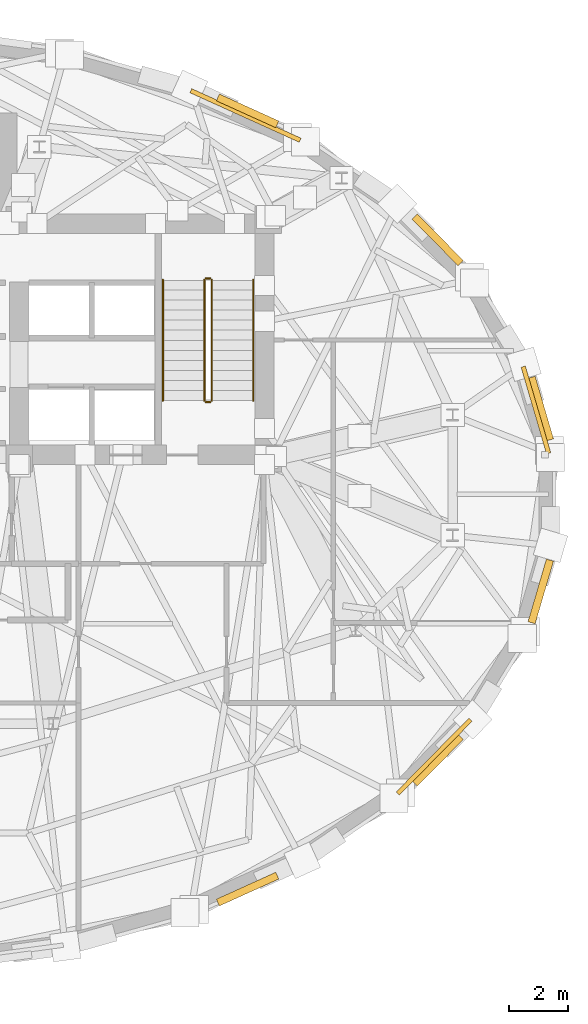
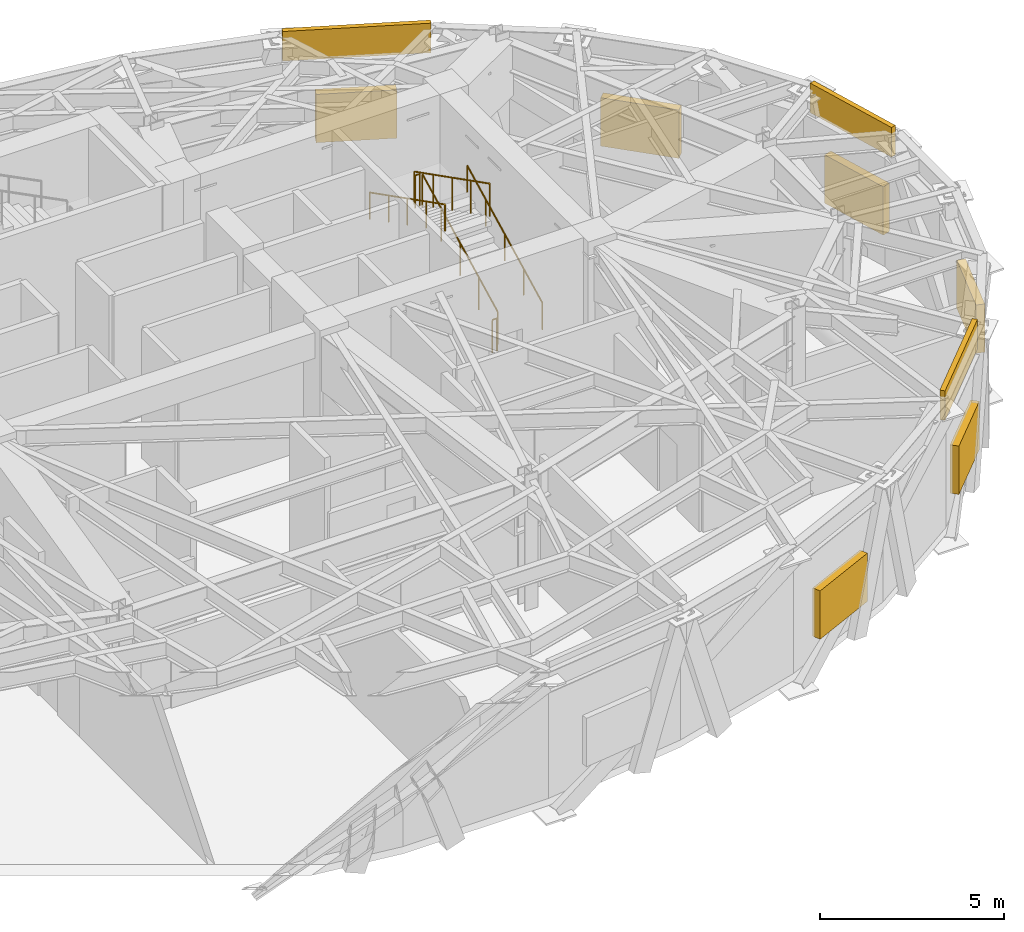
# One storey, part 12 of 12: 6 railings, 6 shading devices, 3 coverings.
"""IFC4 building model written with IfcOpenShell, lengths in metres."""

import ifcopenshell
import ifcopenshell.guid

model = None  # the IFC model being written
_history = None  # IfcOwnerHistory: only IFC2X3 demands one
_inside = {}  # id of a spatial element -> (the spatial element, [elements in it])
_under = {}  # id of a project, library or spatial element -> (it, [spatial elements below it])
_declared = {}  # id of a project -> (the project, [libraries it declares])
_typed = {}  # id of a type object -> (the type object, [elements of that type])
_made_of = {}  # id of a material, layer set ... -> (it, [elements and type objects made of it])


def new_model(schema):
    """Start an empty IFC model of exactly this schema.

    Asked for "IFC4X3", IfcOpenShell would pick the latest addendum, in which some entities
    have other attributes; the version numbers below select the first issue.
    IFC2X3 requires an IfcOwnerHistory on every rooted entity: one is made here for all.
    """
    global model, _history
    if schema == "IFC4X3":
        model = ifcopenshell.file(schema_version=(4, 3, 0, 0))
    else:
        model = ifcopenshell.file(schema=schema)
    _inside.clear()
    _under.clear()
    _declared.clear()
    _typed.clear()
    _made_of.clear()
    _history = None
    if model.schema == "IFC2X3":
        org = make("IfcOrganization", Name="unknown")
        user = make(
            "IfcPersonAndOrganization",
            ThePerson=make("IfcPerson", FamilyName="unknown"),
            TheOrganization=org,
        )
        app = make(
            "IfcApplication",
            ApplicationDeveloper=org,
            Version="unknown",
            ApplicationFullName="unknown",
            ApplicationIdentifier="unknown",
        )
        _history = make(
            "IfcOwnerHistory",
            OwningUser=user,
            OwningApplication=app,
            ChangeAction="ADDED",
            CreationDate=0,
        )
    return model


def make(cls, **values):
    """One entity of the class cls with the attributes given. An attribute that is None is left unset."""
    return model.create_entity(
        cls, **{name: value for name, value in values.items() if value is not None}
    )


def rooted(cls, **values):
    """An entity with a GlobalId (a new one), such as an element, a storey or a relation."""
    return make(cls, GlobalId=ifcopenshell.guid.new(), OwnerHistory=_history, **values)


def si_unit(unit_type, name, prefix=None):
    """IfcSIUnit, for example si_unit("LENGTHUNIT", "METRE", prefix="MILLI")."""
    return make("IfcSIUnit", UnitType=unit_type, Prefix=prefix, Name=name)


def assignment(units):
    """IfcUnitAssignment: the units of a project."""
    return None if units is None else make("IfcUnitAssignment", Units=units)


def point(xyz):
    """IfcCartesianPoint."""
    return None if xyz is None else make("IfcCartesianPoint", Coordinates=xyz)


def direction(xyz):
    """IfcDirection."""
    return None if xyz is None else make("IfcDirection", DirectionRatios=xyz)


def frame(location, z_axis=None, x_axis=None):
    """IfcAxis2Placement3D, a coordinate frame: its origin and axes. An axis left out is left unset."""
    return make(
        "IfcAxis2Placement3D",
        Location=point(location),
        Axis=direction(z_axis),
        RefDirection=direction(x_axis),
    )


def frame_2d(location, x_axis=None):
    """IfcAxis2Placement2D, a coordinate frame in the plane: its origin and x axis."""
    return make(
        "IfcAxis2Placement2D", Location=point(location), RefDirection=direction(x_axis)
    )


def origin():
    """The frame at (0, 0, 0) with its axes left unset."""
    return frame((0.0, 0.0, 0.0))


def origin_2d():
    """The frame at (0, 0) in the plane with its x axis left unset."""
    return frame_2d((0.0, 0.0))


def place(relative_to, where):
    """IfcLocalPlacement: puts the frame where relative to a parent placement (None: the world)."""
    return make(
        "IfcLocalPlacement", PlacementRelTo=relative_to, RelativePlacement=where
    )


def context(
    kind, dimensions, precision=None, world=None, true_north=None, identifier=None
):
    """IfcGeometricRepresentationContext, for example the 3D "Model" context."""
    return make(
        "IfcGeometricRepresentationContext",
        ContextIdentifier=identifier,
        ContextType=kind,
        CoordinateSpaceDimension=dimensions,
        Precision=precision,
        WorldCoordinateSystem=world,
        TrueNorth=true_north,
    )


def subcontext(parent, identifier, kind, view, scale=None):
    """IfcGeometricRepresentationSubContext, for example "Body" below "Model"."""
    return make(
        "IfcGeometricRepresentationSubContext",
        ContextIdentifier=identifier,
        ContextType=kind,
        ParentContext=parent,
        TargetScale=scale,
        TargetView=view,
    )


def project(units=None, contexts=None):
    """IfcProject with its units and contexts."""
    return rooted(
        "IfcProject",
        Name="project",
        RepresentationContexts=contexts,
        UnitsInContext=assignment(units),
    )


def spatial(cls, under=None, at=None, **own):
    """A site, building, storey or space (cls), placed at a placement, below another one or the project."""
    s = rooted(cls, ObjectPlacement=at, **own)
    if under is not None:
        _under.setdefault(under.id(), (under, []))[1].append(s)
    return s


def profile(cls, at=None, kind="AREA", **sizes):
    """A parametric profile (cls). Its sizes go by their IFC names, for example OverallWidth=200.0."""
    return make(cls, ProfileType=kind, Position=at, **sizes)


def rectangle(**sizes):
    """IfcRectangleProfileDef."""
    return profile("IfcRectangleProfileDef", **sizes)


def circle(**sizes):
    """IfcCircleProfileDef."""
    return profile("IfcCircleProfileDef", **sizes)


def extrude(swept, where, along, depth):
    """IfcExtrudedAreaSolid: the profile swept, set in the frame where, extruded along a direction by depth."""
    return make(
        "IfcExtrudedAreaSolid",
        SweptArea=swept,
        Position=where,
        ExtrudedDirection=direction(along),
        Depth=depth,
    )


def shape(context_of_items, identifier, shape_type, items):
    """IfcShapeRepresentation: the items that make up one representation, for example the "Body"."""
    return make(
        "IfcShapeRepresentation",
        ContextOfItems=context_of_items,
        RepresentationIdentifier=identifier,
        RepresentationType=shape_type,
        Items=items,
    )


def material(Name=None, Category=None):
    """IfcMaterial."""
    return make("IfcMaterial", Name=Name, Category=Category)


def layer(
    of_material, thickness, ventilated=None, Name=None, Category=None, Priority=None
):
    """IfcMaterialLayer: one layer of a wall or slab, of a material (None: an air gap)."""
    return make(
        "IfcMaterialLayer",
        Material=of_material,
        LayerThickness=thickness,
        IsVentilated=ventilated,
        Name=Name,
        Category=Category,
        Priority=Priority,
    )


def layer_set(layers, Name=None):
    """IfcMaterialLayerSet."""
    return make("IfcMaterialLayerSet", MaterialLayers=layers, LayerSetName=Name)


def made_of(thing, what):
    """Note that an element or type object is made of a material, layer set ...; save() writes the relation."""
    if what is not None:
        _made_of.setdefault(what.id(), (what, []))[1].append(thing)
    return thing


def type_object(cls, material=None, **own):
    """A type object (cls), such as IfcWallType, which elements share."""
    return made_of(rooted(cls, **own), material)


def element(
    cls,
    number,
    at=None,
    inside=None,
    cuts=None,
    type_object=None,
    material=None,
    context=None,
    identifier="Body",
    shape_type=None,
    held_by="IfcProductDefinitionShape",
    body=None,
    shapes=None,
    **own,
):
    """One element of the class cls, such as IfcWall. Its Tag is "e" and its number.

    at: its placement. inside: the storey or other place that contains it. cuts: it is an
    opening in that element (IfcRelVoidsElement). A single representation is given by context,
    identifier, shape_type and body (its items); several are given by shapes. held_by: the class
    of the entity that holds the representations. save() writes the other relations.
    """
    e = rooted(cls, Tag="e%d" % number, ObjectPlacement=at, **own)
    if body is not None:
        shapes = [shape(context, identifier, shape_type, body)]
    if shapes is not None:
        e.Representation = make(held_by, Representations=shapes)
    if inside is not None:
        _inside.setdefault(inside.id(), (inside, []))[1].append(e)
    if cuts is not None:
        rooted(
            "IfcRelVoidsElement", RelatingBuildingElement=cuts, RelatedOpeningElement=e
        )
    if type_object is not None:
        _typed.setdefault(type_object.id(), (type_object, []))[1].append(e)
    return made_of(e, material)


def aggregate(whole, parts):
    """IfcRelAggregates: a whole, such as a stair, and the parts it consists of."""
    return rooted("IfcRelAggregates", RelatingObject=whole, RelatedObjects=parts)


def save(model, path):
    """Write the relations noted so far, then the file.

    IfcRelAggregates (storeys below a building ...), IfcRelContainedInSpatialStructure (elements
    in a storey), IfcRelDefinesByType, IfcRelAssociatesMaterial and IfcRelDeclares: one each for
    every whole, place, type object, material and project.
    """
    for whole, parts in _under.values():
        aggregate(whole, parts)
    for where, things in _inside.values():
        rooted(
            "IfcRelContainedInSpatialStructure",
            RelatedElements=things,
            RelatingStructure=where,
        )
    for kind, things in _typed.values():
        rooted("IfcRelDefinesByType", RelatedObjects=things, RelatingType=kind)
    for what, things in _made_of.values():
        rooted("IfcRelAssociatesMaterial", RelatedObjects=things, RelatingMaterial=what)
    for by, libraries in _declared.values():
        rooted("IfcRelDeclares", RelatingContext=by, RelatedDefinitions=libraries)
    model.write(path)


model = new_model("IFC4")

# Units and contexts
model_context = context("Model", 3, precision=1e-05, world=origin(), true_north=direction((0.0, 1.0)))
body_context = subcontext(model_context, "Body", "Model", "MODEL_VIEW")
ifc_project = project(units=[si_unit("LENGTHUNIT", "METRE"), si_unit("AREAUNIT", "SQUARE_METRE"), si_unit("VOLUMEUNIT", "CUBIC_METRE"), si_unit("PLANEANGLEUNIT", "RADIAN"), si_unit("MASSUNIT", "GRAM", prefix="KILO")], contexts=[model_context])

# Site, building, storey
site_placement = place(None, origin())
site = spatial("IfcSite", under=ifc_project, at=site_placement, CompositionType="ELEMENT")
building_placement = place(site_placement, origin())
building = spatial("IfcBuilding", under=site, at=building_placement, Name="Keldmark Tower", CompositionType="ELEMENT")
storey_placement = place(building_placement, frame((0.0, 0.0, 201.39990234375)))
storey = spatial("IfcBuildingStorey", under=building, at=storey_placement, Name="L56", CompositionType="ELEMENT", Elevation=201.39990234375)

# Coverings
ifc_material_1 = material(Name="Honed Kasota Buff Dolomitic Limestone", Category="masonry")
ifc_layer = layer(ifc_material_1, 0.074951171875)
ifc_layer_set = layer_set([ifc_layer], Name="Honed Kasota Buff Dolomitic Limestone")
covering_type = type_object("IfcCoveringType", Name="Kasota Buff Limestone Spandrel Cladding Band", PredefinedType="CLADDING", material=ifc_layer_set)
covering_1_placement = place(storey_placement, frame((22.63671875, 3.03662109375, 3.4990234375), z_axis=(0.0, 0.0, 1.0), x_axis=(-0.281470694936, 0.959569824396, 0.0)))
element("IfcCovering", 1, at=covering_1_placement, inside=storey, type_object=covering_type, Name="L56 Kasota Limestone Spandrel Band 01", PredefinedType="CLADDING", context=body_context, shape_type="SweptSolid", body=[
    extrude(rectangle(XDim=3.0458984375, YDim=0.14990234375, at=origin_2d()), origin(), (0.0, 0.0, 1.0), 0.98095703125),
])
covering_2_placement = place(storey_placement, frame((12.837158203125, 12.973876953125, 3.4990234375), z_axis=(0.0, 0.0, 1.0), x_axis=(-0.910863824921, 0.412707029804, 0.0)))
element("IfcCovering", 2, at=covering_2_placement, inside=storey, type_object=covering_type, Name="L56 Kasota Limestone Spandrel Band 05", PredefinedType="CLADDING", context=body_context, shape_type="SweptSolid", body=[
    extrude(rectangle(XDim=4.049560546875, YDim=0.14990234375, at=origin_2d()), origin(), (0.0, 0.0, 1.0), 0.98095703125),
])
covering_3_placement = place(storey_placement, frame((19.20166015625, -8.658447265625, 3.4990234375), z_axis=(0.0, 0.0, 1.0), x_axis=(0.701892034663, 0.712283350695, 0.0)))
element("IfcCovering", 3, at=covering_3_placement, inside=storey, type_object=covering_type, Name="L56 Kasota Limestone Spandrel Band 29", PredefinedType="CLADDING", context=body_context, shape_type="SweptSolid", body=[
    extrude(rectangle(XDim=3.49560546875, YDim=0.14990234375, at=origin_2d()), origin(), (0.0, 0.0, 1.0), 0.98095703125),
])

# Shading devices
ifc_material_2 = material(Name="Fluoropolymer-Coated Extruded Aluminum Stormproof Blades", Category="aluminium")
shading_device_type = type_object("IfcShadingDeviceType", Name="Mechanical Floor Acoustic Intake Louvre", PredefinedType="JALOUSIE", material=ifc_material_2)
for number, where, z_axis, x_axis, name in (
    (4, (22.7998046875, 3.08447265625, 0.650146484375), (0.0, 0.0, 1.0), (-0.281470694936, 0.959569824396, 0.0), "L56 Acoustic Stormproof Louvre 01"),
    (5, (19.32275390625, 8.77783203125, 0.650146484375), (0.0, 0.0, 1.0), (-0.701892034663, 0.712283350695, 0.0), "L56 Acoustic Stormproof Louvre 03"),
    (6, (12.9072265625, 13.128662109375, 0.650146484375), (0.0, 0.0, 1.0), (-0.910863824921, 0.412707029804, 0.0), "L56 Acoustic Stormproof Louvre 05"),
    (7, (12.9072265625, -13.128662109375, 0.650146484375), (0.0, 0.0, 1.0), (0.910863824921, 0.412707029804, 0.0), "L56 Acoustic Stormproof Louvre 27"),
    (8, (19.32275390625, -8.77783203125, 0.650146484375), (0.0, 0.0, 1.0), (0.701892034663, 0.712283350695, 0.0), "L56 Acoustic Stormproof Louvre 29"),
    (9, (22.7998046875, -3.08447265625, 0.650146484375), (0.0, 0.0, 1.0), (0.281470694936, 0.959569824396, 0.0), "L56 Acoustic Stormproof Louvre 31"),
):
    element("IfcShadingDevice", number, at=place(storey_placement, frame(where, z_axis=z_axis, x_axis=x_axis)), inside=storey, type_object=shading_device_type, Name=name, PredefinedType="JALOUSIE", context=body_context, shape_type="SweptSolid", body=[
        extrude(rectangle(XDim=2.199951171875, YDim=0.25, at=origin_2d()), origin(), (0.0, 0.0, 1.0), 1.60009765625),
    ])

# Railings
ifc_material_3 = material(Name="Painted Steel ASTM A500 Grade B", Category="steel")
railing_type_1 = type_object("IfcRailingType", Name="Painted Steel Stair Well Guard 1100 mm", PredefinedType="GUARDRAIL", material=ifc_material_3)
railing_1_placement = place(storey_placement, frame((11.699951171875, 3.35009765625, 0.173095703125)))
element("IfcRailing", 10, at=railing_1_placement, inside=storey, type_object=railing_type_1, Name="L56 ST2 stair guard 1", PredefinedType="GUARDRAIL", context=body_context, shape_type="SweptSolid", body=[
    extrude(circle(Radius=0.02392578125, at=origin_2d()), frame((0.0, 0.0, 1.076171875), z_axis=(0.0, 0.891172131844, 0.453665329759), x_axis=(-1.0, 0.0, 0.0)), (0.0, 0.0, 1.0), 4.578125),
    extrude(circle(Radius=0.02099609375, at=origin_2d()), origin(), (0.0, 0.0, 1.0), 1.052001953125),
    extrude(circle(Radius=0.02099609375, at=origin_2d()), frame((0.0, 1.02001953125, 0.519287109375)), (0.0, 0.0, 1.0), 1.052001953125),
    extrude(circle(Radius=0.02099609375, at=origin_2d()), frame((0.0, 2.0400390625, 1.03857421875)), (0.0, 0.0, 1.0), 1.052001953125),
    extrude(circle(Radius=0.02099609375, at=origin_2d()), frame((0.0, 3.059814453125, 1.5576171875)), (0.0, 0.0, 1.0), 1.052001953125),
    extrude(circle(Radius=0.02099609375, at=origin_2d()), frame((0.0, 4.079833984375, 2.076904296875)), (0.0, 0.0, 1.0), 1.052001953125),
])
railing_2_placement = place(storey_placement, frame((11.64990234375, 7.47998046875, 2.25)))
element("IfcRailing", 11, at=railing_2_placement, inside=storey, type_object=railing_type_1, Name="L56 ST2 stair guard 2", PredefinedType="GUARDRAIL", context=body_context, shape_type="SweptSolid", body=[
    extrude(circle(Radius=0.02392578125, at=origin_2d()), frame((0.0, 0.0, 1.076171875), z_axis=(-1.0, 0.0, 0.0), x_axis=(0.0, -1.0, 0.0)), (0.0, 0.0, 1.0), 0.14990234375),
    extrude(circle(Radius=0.02099609375, at=origin_2d()), origin(), (0.0, 0.0, 1.0), 1.052001953125),
    extrude(circle(Radius=0.02099609375, at=origin_2d()), frame((-0.14990234375, 0.0, 0.0)), (0.0, 0.0, 1.0), 1.052001953125),
])
railing_3_placement = place(storey_placement, frame((11.449951171875, 7.429931640625, 2.423095703125)))
element("IfcRailing", 12, at=railing_3_placement, inside=storey, type_object=railing_type_1, Name="L56 ST2 stair guard 3", PredefinedType="GUARDRAIL", context=body_context, shape_type="SweptSolid", body=[
    extrude(circle(Radius=0.02392578125, at=origin_2d()), frame((0.0, 0.0, 1.076171875), z_axis=(0.0, -0.891172131844, 0.453665329759), x_axis=(1.0, 0.0, 0.0)), (0.0, 0.0, 1.0), 4.578125),
    extrude(circle(Radius=0.02099609375, at=origin_2d()), origin(), (0.0, 0.0, 1.0), 1.052001953125),
    extrude(circle(Radius=0.02099609375, at=origin_2d()), frame((0.0, -1.02001953125, 0.519287109375)), (0.0, 0.0, 1.0), 1.052001953125),
    extrude(circle(Radius=0.02099609375, at=origin_2d()), frame((0.0, -2.0400390625, 1.03857421875)), (0.0, 0.0, 1.0), 1.052001953125),
    extrude(circle(Radius=0.02099609375, at=origin_2d()), frame((0.0, -3.059814453125, 1.5576171875)), (0.0, 0.0, 1.0), 1.052001953125),
    extrude(circle(Radius=0.02099609375, at=origin_2d()), frame((0.0, -4.079833984375, 2.076904296875)), (0.0, 0.0, 1.0), 1.052001953125),
])
railing_4_placement = place(storey_placement, frame((11.64990234375, 3.300048828125, 0.0)))
element("IfcRailing", 13, at=railing_4_placement, inside=storey, type_object=railing_type_1, Name="L56 ST2 stair guard 4", PredefinedType="GUARDRAIL", context=body_context, shape_type="SweptSolid", body=[
    extrude(circle(Radius=0.02392578125, at=origin_2d()), frame((0.0, 0.0, 1.076171875), z_axis=(-1.0, 0.0, 0.0), x_axis=(0.0, -1.0, 0.0)), (0.0, 0.0, 1.0), 0.14990234375),
    extrude(circle(Radius=0.02099609375, at=origin_2d()), origin(), (0.0, 0.0, 1.0), 1.052001953125),
    extrude(circle(Radius=0.02099609375, at=origin_2d()), frame((-0.14990234375, 0.0, 0.0)), (0.0, 0.0, 1.0), 1.052001953125),
])
ifc_material_4 = material(Name="Stainless Steel AISI 316L", Category="steel")
railing_type_2 = type_object("IfcRailingType", Name="Stainless Steel Stair Handrail 900 mm", PredefinedType="HANDRAIL", material=ifc_material_4)
railing_5_placement = place(storey_placement, frame((13.10009765625, 3.35009765625, 0.173095703125)))
element("IfcRailing", 14, at=railing_5_placement, inside=storey, type_object=railing_type_2, Name="L56 ST2 stair handrail 1", PredefinedType="HANDRAIL", context=body_context, shape_type="SweptSolid", body=[
    extrude(circle(Radius=0.02392578125, at=origin_2d()), frame((0.0, 0.0, 0.8759765625), z_axis=(0.0, 0.891172131844, 0.453665329759), x_axis=(-1.0, 0.0, 0.0)), (0.0, 0.0, 1.0), 4.578125),
    extrude(circle(Radius=0.02099609375, at=origin_2d()), origin(), (0.0, 0.0, 1.0), 0.851806640625),
    extrude(circle(Radius=0.02099609375, at=origin_2d()), frame((0.0, 1.02001953125, 0.519287109375)), (0.0, 0.0, 1.0), 0.851806640625),
    extrude(circle(Radius=0.02099609375, at=origin_2d()), frame((0.0, 2.0400390625, 1.03857421875)), (0.0, 0.0, 1.0), 0.851806640625),
    extrude(circle(Radius=0.02099609375, at=origin_2d()), frame((0.0, 3.059814453125, 1.5576171875)), (0.0, 0.0, 1.0), 0.851806640625),
    extrude(circle(Radius=0.02099609375, at=origin_2d()), frame((0.0, 4.079833984375, 2.076904296875)), (0.0, 0.0, 1.0), 0.851806640625),
])
railing_6_placement = place(storey_placement, frame((10.050048828125, 7.429931640625, 2.423095703125)))
element("IfcRailing", 15, at=railing_6_placement, inside=storey, type_object=railing_type_2, Name="L56 ST2 stair handrail 2", PredefinedType="HANDRAIL", context=body_context, shape_type="SweptSolid", body=[
    extrude(circle(Radius=0.02392578125, at=origin_2d()), frame((0.0, 0.0, 0.8759765625), z_axis=(0.0, -0.891172131844, 0.453665329759), x_axis=(1.0, 0.0, 0.0)), (0.0, 0.0, 1.0), 4.578125),
    extrude(circle(Radius=0.02099609375, at=origin_2d()), origin(), (0.0, 0.0, 1.0), 0.851806640625),
    extrude(circle(Radius=0.02099609375, at=origin_2d()), frame((0.0, -1.02001953125, 0.519287109375)), (0.0, 0.0, 1.0), 0.851806640625),
    extrude(circle(Radius=0.02099609375, at=origin_2d()), frame((0.0, -2.0400390625, 1.03857421875)), (0.0, 0.0, 1.0), 0.851806640625),
    extrude(circle(Radius=0.02099609375, at=origin_2d()), frame((0.0, -3.059814453125, 1.5576171875)), (0.0, 0.0, 1.0), 0.851806640625),
    extrude(circle(Radius=0.02099609375, at=origin_2d()), frame((0.0, -4.079833984375, 2.076904296875)), (0.0, 0.0, 1.0), 0.851806640625),
])

save(model, "model.ifc")
